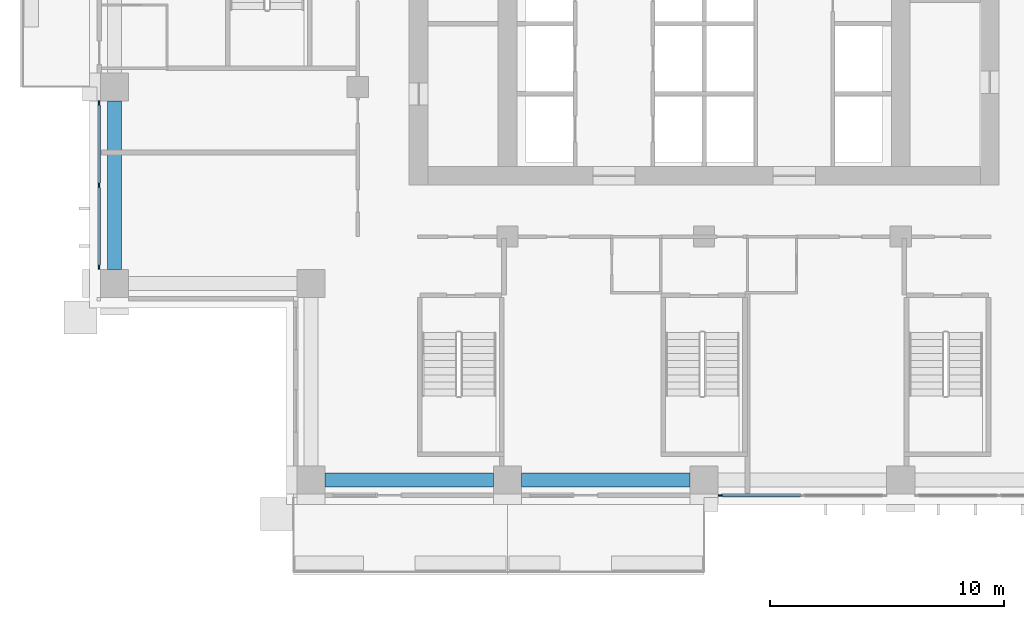
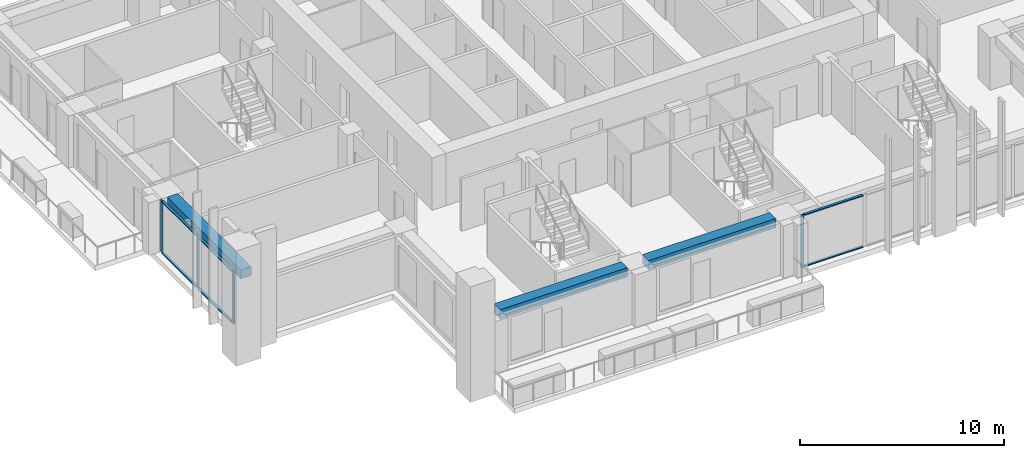
# One storey, part 2 of 17: 10 members, 3 beams, 2 elements without a shape of their own.
"""IFC4 building model written with IfcOpenShell, lengths in metres."""

import ifcopenshell
import ifcopenshell.guid

model = None  # the IFC model being written
_history = None  # IfcOwnerHistory: only IFC2X3 demands one
_inside = {}  # id of a spatial element -> (the spatial element, [elements in it])
_under = {}  # id of a project, library or spatial element -> (it, [spatial elements below it])
_declared = {}  # id of a project -> (the project, [libraries it declares])
_typed = {}  # id of a type object -> (the type object, [elements of that type])
_made_of = {}  # id of a material, layer set ... -> (it, [elements and type objects made of it])


def new_model(schema):
    """Start an empty IFC model of exactly this schema.

    Asked for "IFC4X3", IfcOpenShell would pick the latest addendum, in which some entities
    have other attributes; the version numbers below select the first issue.
    IFC2X3 requires an IfcOwnerHistory on every rooted entity: one is made here for all.
    """
    global model, _history
    if schema == "IFC4X3":
        model = ifcopenshell.file(schema_version=(4, 3, 0, 0))
    else:
        model = ifcopenshell.file(schema=schema)
    _inside.clear()
    _under.clear()
    _declared.clear()
    _typed.clear()
    _made_of.clear()
    _history = None
    if model.schema == "IFC2X3":
        org = make("IfcOrganization", Name="unknown")
        user = make(
            "IfcPersonAndOrganization",
            ThePerson=make("IfcPerson", FamilyName="unknown"),
            TheOrganization=org,
        )
        app = make(
            "IfcApplication",
            ApplicationDeveloper=org,
            Version="unknown",
            ApplicationFullName="unknown",
            ApplicationIdentifier="unknown",
        )
        _history = make(
            "IfcOwnerHistory",
            OwningUser=user,
            OwningApplication=app,
            ChangeAction="ADDED",
            CreationDate=0,
        )
    return model


def make(cls, **values):
    """One entity of the class cls with the attributes given. An attribute that is None is left unset."""
    return model.create_entity(
        cls, **{name: value for name, value in values.items() if value is not None}
    )


def rooted(cls, **values):
    """An entity with a GlobalId (a new one), such as an element, a storey or a relation."""
    return make(cls, GlobalId=ifcopenshell.guid.new(), OwnerHistory=_history, **values)


def si_unit(unit_type, name, prefix=None):
    """IfcSIUnit, for example si_unit("LENGTHUNIT", "METRE", prefix="MILLI")."""
    return make("IfcSIUnit", UnitType=unit_type, Prefix=prefix, Name=name)


def assignment(units):
    """IfcUnitAssignment: the units of a project."""
    return None if units is None else make("IfcUnitAssignment", Units=units)


def point(xyz):
    """IfcCartesianPoint."""
    return None if xyz is None else make("IfcCartesianPoint", Coordinates=xyz)


def direction(xyz):
    """IfcDirection."""
    return None if xyz is None else make("IfcDirection", DirectionRatios=xyz)


def frame(location, z_axis=None, x_axis=None):
    """IfcAxis2Placement3D, a coordinate frame: its origin and axes. An axis left out is left unset."""
    return make(
        "IfcAxis2Placement3D",
        Location=point(location),
        Axis=direction(z_axis),
        RefDirection=direction(x_axis),
    )


def frame_2d(location, x_axis=None):
    """IfcAxis2Placement2D, a coordinate frame in the plane: its origin and x axis."""
    return make(
        "IfcAxis2Placement2D", Location=point(location), RefDirection=direction(x_axis)
    )


def origin():
    """The frame at (0, 0, 0) with its axes left unset."""
    return frame((0.0, 0.0, 0.0))


def origin_2d():
    """The frame at (0, 0) in the plane with its x axis left unset."""
    return frame_2d((0.0, 0.0))


def place(relative_to, where):
    """IfcLocalPlacement: puts the frame where relative to a parent placement (None: the world)."""
    return make(
        "IfcLocalPlacement", PlacementRelTo=relative_to, RelativePlacement=where
    )


def context(
    kind, dimensions, precision=None, world=None, true_north=None, identifier=None
):
    """IfcGeometricRepresentationContext, for example the 3D "Model" context."""
    return make(
        "IfcGeometricRepresentationContext",
        ContextIdentifier=identifier,
        ContextType=kind,
        CoordinateSpaceDimension=dimensions,
        Precision=precision,
        WorldCoordinateSystem=world,
        TrueNorth=true_north,
    )


def subcontext(parent, identifier, kind, view, scale=None):
    """IfcGeometricRepresentationSubContext, for example "Body" below "Model"."""
    return make(
        "IfcGeometricRepresentationSubContext",
        ContextIdentifier=identifier,
        ContextType=kind,
        ParentContext=parent,
        TargetScale=scale,
        TargetView=view,
    )


def project(units=None, contexts=None):
    """IfcProject with its units and contexts."""
    return rooted(
        "IfcProject",
        Name="project",
        RepresentationContexts=contexts,
        UnitsInContext=assignment(units),
    )


def spatial(cls, under=None, at=None, **own):
    """A site, building, storey or space (cls), placed at a placement, below another one or the project."""
    s = rooted(cls, ObjectPlacement=at, **own)
    if under is not None:
        _under.setdefault(under.id(), (under, []))[1].append(s)
    return s


def profile(cls, at=None, kind="AREA", **sizes):
    """A parametric profile (cls). Its sizes go by their IFC names, for example OverallWidth=200.0."""
    return make(cls, ProfileType=kind, Position=at, **sizes)


def rectangle(**sizes):
    """IfcRectangleProfileDef."""
    return profile("IfcRectangleProfileDef", **sizes)


def extrude(swept, where, along, depth):
    """IfcExtrudedAreaSolid: the profile swept, set in the frame where, extruded along a direction by depth."""
    return make(
        "IfcExtrudedAreaSolid",
        SweptArea=swept,
        Position=where,
        ExtrudedDirection=direction(along),
        Depth=depth,
    )


def shape(context_of_items, identifier, shape_type, items):
    """IfcShapeRepresentation: the items that make up one representation, for example the "Body"."""
    return make(
        "IfcShapeRepresentation",
        ContextOfItems=context_of_items,
        RepresentationIdentifier=identifier,
        RepresentationType=shape_type,
        Items=items,
    )


def material(Name=None, Category=None):
    """IfcMaterial."""
    return make("IfcMaterial", Name=Name, Category=Category)


def material_profile(
    of_material, cross_section, Name=None, Category=None, Priority=None
):
    """IfcMaterialProfile: a cross section and its material."""
    return make(
        "IfcMaterialProfile",
        Name=Name,
        Material=of_material,
        Profile=cross_section,
        Priority=Priority,
        Category=Category,
    )


def profile_set(profiles, Name=None, composite=None):
    """IfcMaterialProfileSet."""
    return make(
        "IfcMaterialProfileSet",
        Name=Name,
        MaterialProfiles=profiles,
        CompositeProfile=composite,
    )


def made_of(thing, what):
    """Note that an element or type object is made of a material, layer set ...; save() writes the relation."""
    if what is not None:
        _made_of.setdefault(what.id(), (what, []))[1].append(thing)
    return thing


def type_object(cls, material=None, **own):
    """A type object (cls), such as IfcWallType, which elements share."""
    return made_of(rooted(cls, **own), material)


def element(
    cls,
    number,
    at=None,
    inside=None,
    cuts=None,
    type_object=None,
    material=None,
    context=None,
    identifier="Body",
    shape_type=None,
    held_by="IfcProductDefinitionShape",
    body=None,
    shapes=None,
    **own,
):
    """One element of the class cls, such as IfcWall. Its Tag is "e" and its number.

    at: its placement. inside: the storey or other place that contains it. cuts: it is an
    opening in that element (IfcRelVoidsElement). A single representation is given by context,
    identifier, shape_type and body (its items); several are given by shapes. held_by: the class
    of the entity that holds the representations. save() writes the other relations.
    """
    e = rooted(cls, Tag="e%d" % number, ObjectPlacement=at, **own)
    if body is not None:
        shapes = [shape(context, identifier, shape_type, body)]
    if shapes is not None:
        e.Representation = make(held_by, Representations=shapes)
    if inside is not None:
        _inside.setdefault(inside.id(), (inside, []))[1].append(e)
    if cuts is not None:
        rooted(
            "IfcRelVoidsElement", RelatingBuildingElement=cuts, RelatedOpeningElement=e
        )
    if type_object is not None:
        _typed.setdefault(type_object.id(), (type_object, []))[1].append(e)
    return made_of(e, material)


def aggregate(whole, parts):
    """IfcRelAggregates: a whole, such as a stair, and the parts it consists of."""
    return rooted("IfcRelAggregates", RelatingObject=whole, RelatedObjects=parts)


def save(model, path):
    """Write the relations noted so far, then the file.

    IfcRelAggregates (storeys below a building ...), IfcRelContainedInSpatialStructure (elements
    in a storey), IfcRelDefinesByType, IfcRelAssociatesMaterial and IfcRelDeclares: one each for
    every whole, place, type object, material and project.
    """
    for whole, parts in _under.values():
        aggregate(whole, parts)
    for where, things in _inside.values():
        rooted(
            "IfcRelContainedInSpatialStructure",
            RelatedElements=things,
            RelatingStructure=where,
        )
    for kind, things in _typed.values():
        rooted("IfcRelDefinesByType", RelatedObjects=things, RelatingType=kind)
    for what, things in _made_of.values():
        rooted("IfcRelAssociatesMaterial", RelatedObjects=things, RelatingMaterial=what)
    for by, libraries in _declared.values():
        rooted("IfcRelDeclares", RelatingContext=by, RelatedDefinitions=libraries)
    model.write(path)


model = new_model("IFC4")

# Units and contexts
model_context = context("Model", 3, precision=1e-05, world=origin(), true_north=direction((0.0, 1.0)))
body_context = subcontext(model_context, "Body", "Model", "MODEL_VIEW")
ifc_project = project(units=[si_unit("LENGTHUNIT", "METRE"), si_unit("AREAUNIT", "SQUARE_METRE"), si_unit("VOLUMEUNIT", "CUBIC_METRE"), si_unit("PLANEANGLEUNIT", "RADIAN"), si_unit("MASSUNIT", "GRAM", prefix="KILO")], contexts=[model_context])

# Site, building, storey
site_placement = place(None, origin())
site = spatial("IfcSite", under=ifc_project, at=site_placement, CompositionType="ELEMENT")
building_placement = place(site_placement, origin())
building = spatial("IfcBuilding", under=site, at=building_placement, Name="Vermilion Ogive Tower", CompositionType="ELEMENT")
storey_placement = place(building_placement, frame((0.0, 0.0, 97.64990234375)))
storey = spatial("IfcBuildingStorey", under=building, at=storey_placement, Name="L24", CompositionType="ELEMENT", Elevation=97.64990234375)

# Curtain wall, member
ifc_material_1 = material(Name="Low-iron laminated glazing in aluminium frame", Category="aluminium")
curtain_wall_type = type_object("IfcCurtainWallType", Name="Curtain wall CW7", PredefinedType="NOTDEFINED", material=ifc_material_1)
curtain_wall_1_placement = place(storey_placement, origin())
curtain_wall_1 = element("IfcCurtainWall", 1, at=curtain_wall_1_placement, inside=storey, type_object=curtain_wall_type, Name="Glazed skin S3", PredefinedType="NOTDEFINED")
ifc_material_2 = material(Name="Aluminium mullion", Category="aluminium")
ifc_material_profile_1 = material_profile(ifc_material_2, rectangle(XDim=0.06005859375, YDim=0.179931640625, at=origin_2d()), Name="AL 60x180")
ifc_profile_set_1 = profile_set([ifc_material_profile_1], Name="Aluminium mullion")
member_type_1 = type_object("IfcMemberType", Name="CW7 mullion 60x180", PredefinedType="MULLION", material=ifc_profile_set_1)
member_1_placement = place(storey_placement, frame((0.68994140625, -21.64990234375, 0.0), z_axis=(0.0, 0.0, 1.0), x_axis=(0.0, 1.0, 0.0)))
member_1 = element("IfcMember", 2, at=member_1_placement, type_object=member_type_1, Name="CW7-S3 mullion 1", PredefinedType="MULLION", context=body_context, shape_type="SweptSolid", body=[
    extrude(rectangle(XDim=0.06005859375, YDim=0.179931640625, at=origin_2d()), origin(), (0.0, 0.0, 1.0), 3.130126953125),
])

# Curtain wall, members
curtain_wall_2_placement = place(storey_placement, origin())
curtain_wall_2 = element("IfcCurtainWall", 3, at=curtain_wall_2_placement, inside=storey, type_object=curtain_wall_type, Name="Glazed skin W3", PredefinedType="NOTDEFINED")
member_2_placement = place(storey_placement, frame((-25.85009765625, -4.889892578125, 0.0), z_axis=(0.0, 0.0, 1.0), x_axis=(1.0, 0.0, 0.0)))
member_2 = element("IfcMember", 4, at=member_2_placement, type_object=member_type_1, Name="CW7-W3 mullion 1", PredefinedType="MULLION", context=body_context, shape_type="SweptSolid", body=[
    extrude(rectangle(XDim=0.06005859375, YDim=0.179931640625, at=origin_2d()), origin(), (0.0, 0.0, 1.0), 3.130126953125),
])
member_3_placement = place(storey_placement, frame((-25.85009765625, -8.39990234375, 0.0), z_axis=(0.0, 0.0, 1.0), x_axis=(1.0, 0.0, 0.0)))
member_3 = element("IfcMember", 5, at=member_3_placement, type_object=member_type_1, Name="CW7-W3 mullion 2", PredefinedType="MULLION", context=body_context, shape_type="SweptSolid", body=[
    extrude(rectangle(XDim=0.06005859375, YDim=0.179931640625, at=origin_2d()), origin(), (0.0, 0.0, 1.0), 3.130126953125),
])
member_4_placement = place(storey_placement, frame((-25.85009765625, -11.909912109375, 0.0), z_axis=(0.0, 0.0, 1.0), x_axis=(1.0, 0.0, 0.0)))
member_4 = element("IfcMember", 6, at=member_4_placement, type_object=member_type_1, Name="CW7-W3 mullion 3", PredefinedType="MULLION", context=body_context, shape_type="SweptSolid", body=[
    extrude(rectangle(XDim=0.06005859375, YDim=0.179931640625, at=origin_2d()), origin(), (0.0, 0.0, 1.0), 3.130126953125),
])

# Member
ifc_material_3 = material(Name="Aluminium transom", Category="aluminium")
ifc_material_profile_2 = material_profile(ifc_material_3, rectangle(XDim=0.139892578125, YDim=0.06005859375, at=origin_2d()), Name="AL 60x140")
ifc_profile_set_2 = profile_set([ifc_material_profile_2], Name="Aluminium transom")
member_type_2 = type_object("IfcMemberType", Name="CW7 transom 60x140", PredefinedType="USERDEFINED", material=ifc_profile_set_2)
member_5_placement = place(storey_placement, frame((0.780029296875, -21.64990234375, 0.030029296875), z_axis=(1.0, 0.0, 0.0), x_axis=(0.0, 1.0, 0.0)))
member_5 = element("IfcMember", 7, at=member_5_placement, type_object=member_type_2, Name="CW7-S3 transom 1.1", ObjectType="TRANSOM", PredefinedType="USERDEFINED", context=body_context, shape_type="SweptSolid", body=[
    extrude(rectangle(XDim=0.139892578125, YDim=0.06005859375, at=origin_2d()), origin(), (0.0, 0.0, 1.0), 3.330078125),
])

member_6_placement = place(storey_placement, frame((0.780029296875, -21.64990234375, 3.10009765625), z_axis=(1.0, 0.0, 0.0), x_axis=(0.0, 1.0, 0.0)))
member_6 = element("IfcMember", 8, at=member_6_placement, type_object=member_type_2, Name="CW7-S3 transom 1.2", ObjectType="TRANSOM", PredefinedType="USERDEFINED", context=body_context, shape_type="SweptSolid", body=[
    extrude(rectangle(XDim=0.139892578125, YDim=0.06005859375, at=origin_2d()), origin(), (0.0, 0.0, 1.0), 3.330078125),
])

aggregate(curtain_wall_1, [member_1, member_5, member_6])

member_7_placement = place(storey_placement, frame((-25.85009765625, -4.97998046875, 0.030029296875), z_axis=(0.0, -1.0, 0.0), x_axis=(1.0, 0.0, 0.0)))
member_7 = element("IfcMember", 9, at=member_7_placement, type_object=member_type_2, Name="CW7-W3 transom 1.1", ObjectType="TRANSOM", PredefinedType="USERDEFINED", context=body_context, shape_type="SweptSolid", body=[
    extrude(rectangle(XDim=0.139892578125, YDim=0.06005859375, at=origin_2d()), origin(), (0.0, 0.0, 1.0), 3.330078125),
])

member_8_placement = place(storey_placement, frame((-25.85009765625, -4.97998046875, 3.10009765625), z_axis=(0.0, -1.0, 0.0), x_axis=(1.0, 0.0, 0.0)))
member_8 = element("IfcMember", 10, at=member_8_placement, type_object=member_type_2, Name="CW7-W3 transom 1.2", ObjectType="TRANSOM", PredefinedType="USERDEFINED", context=body_context, shape_type="SweptSolid", body=[
    extrude(rectangle(XDim=0.139892578125, YDim=0.06005859375, at=origin_2d()), origin(), (0.0, 0.0, 1.0), 3.330078125),
])

member_9_placement = place(storey_placement, frame((-25.85009765625, -8.489990234375, 0.030029296875), z_axis=(0.0, -1.0, 0.0), x_axis=(1.0, 0.0, 0.0)))
member_9 = element("IfcMember", 11, at=member_9_placement, type_object=member_type_2, Name="CW7-W3 transom 2.1", ObjectType="TRANSOM", PredefinedType="USERDEFINED", context=body_context, shape_type="SweptSolid", body=[
    extrude(rectangle(XDim=0.139892578125, YDim=0.06005859375, at=origin_2d()), origin(), (0.0, 0.0, 1.0), 3.330078125),
])

member_10_placement = place(storey_placement, frame((-25.85009765625, -8.489990234375, 3.10009765625), z_axis=(0.0, -1.0, 0.0), x_axis=(1.0, 0.0, 0.0)))
member_10 = element("IfcMember", 12, at=member_10_placement, type_object=member_type_2, Name="CW7-W3 transom 2.2", ObjectType="TRANSOM", PredefinedType="USERDEFINED", context=body_context, shape_type="SweptSolid", body=[
    extrude(rectangle(XDim=0.139892578125, YDim=0.06005859375, at=origin_2d()), origin(), (0.0, 0.0, 1.0), 3.330078125),
])

aggregate(curtain_wall_2, [member_2, member_3, member_4, member_7, member_8, member_9, member_10])

# Beams
ifc_material_4 = material(Name="Concrete B45", Category="concrete")
ifc_material_profile_3 = material_profile(ifc_material_4, rectangle(XDim=0.60009765625, YDim=0.550048828125, at=origin_2d()), Name="600 x 550")
ifc_profile_set_3 = profile_set([ifc_material_profile_3], Name="Concrete B45")
beam_type = type_object("IfcBeamType", Name="Edge beam 600 x 550 B45", PredefinedType="BEAM", material=ifc_profile_set_3)
for number, where, z_axis, x_axis, name in (
    (13, (-16.199951171875, -21.0, 2.85498046875), (1.0, 0.0, 0.0), (0.0, 1.0, 0.0), "L24-EB-1"),
    (14, (-7.800048828125, -21.0, 2.85498046875), (1.0, 0.0, 0.0), (0.0, 1.0, 0.0), "L24-EB-2"),
    (15, (-25.199951171875, -4.800048828125, 2.85498046875), (0.0, -1.0, 0.0), (1.0, 0.0, 0.0), "L24-EB-16"),
):
    element("IfcBeam", number, at=place(storey_placement, frame(where, z_axis=z_axis, x_axis=x_axis)), inside=storey, type_object=beam_type, Name=name, PredefinedType="BEAM", context=body_context, shape_type="SweptSolid", body=[
        extrude(rectangle(XDim=0.60009765625, YDim=0.550048828125, at=origin_2d()), origin(), (0.0, 0.0, 1.0), 7.199951171875),
    ])

save(model, "model.ifc")
